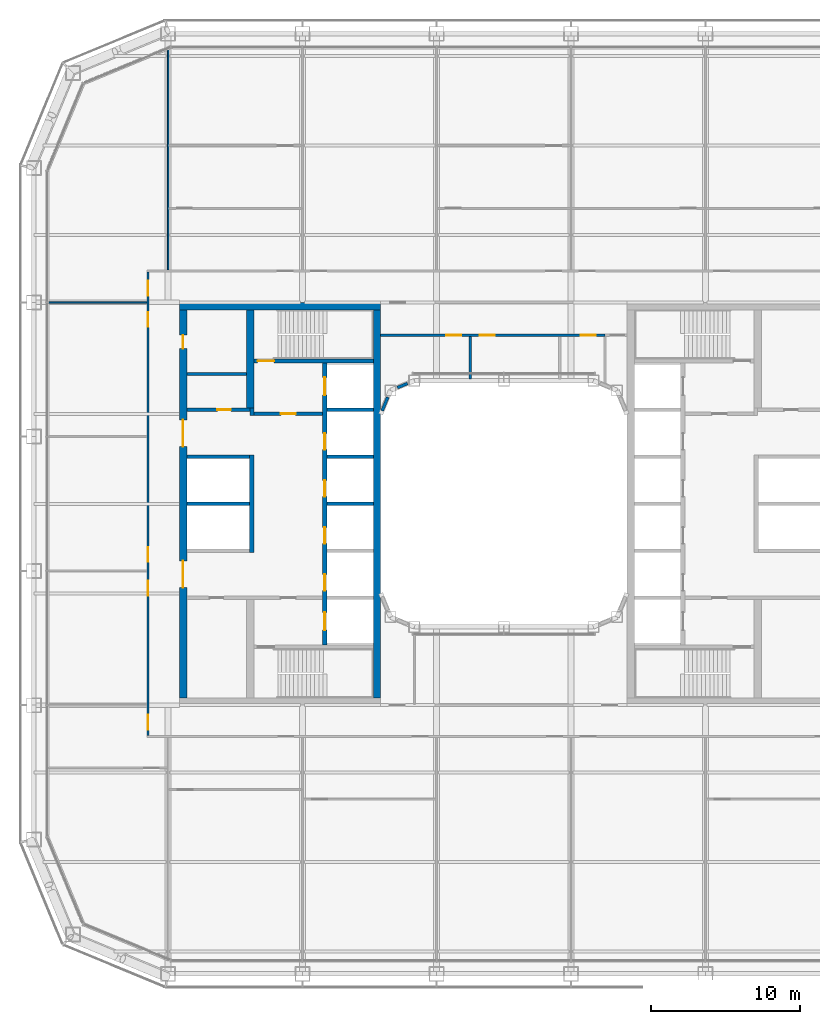
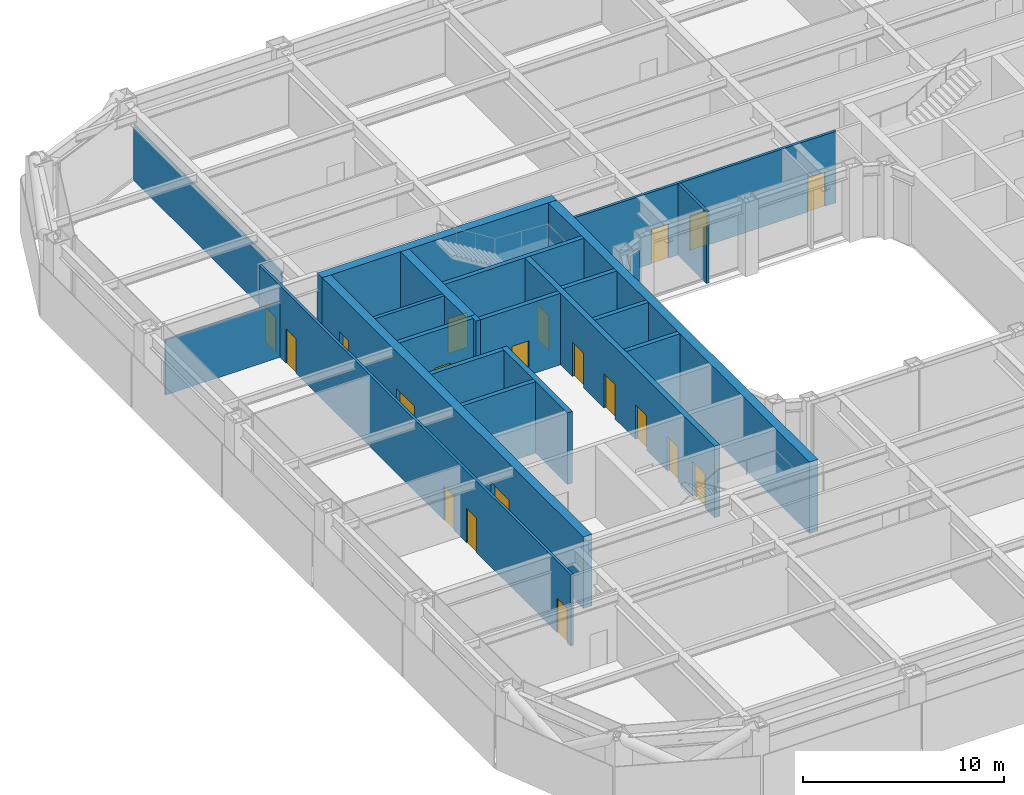
# One storey, part 13 of 25: 23 walls, 20 doors, 20 openings.
"""IFC4 building model written with IfcOpenShell, lengths in metres."""

from ifc_helpers import new_model, si_unit, direction, frame, frame_2d, origin, place, context, subcontext, project, spatial, rectangle, extrude, material, layer, layer_set, type_object, element, fill, save


model = new_model("IFC4")

# Units and contexts
model_context = context("Model", 3, precision=1e-05, world=origin(), true_north=direction((0.0, 1.0)))
body_context = subcontext(model_context, "Body", "Model", "MODEL_VIEW")
ifc_project = project(units=[si_unit("LENGTHUNIT", "METRE"), si_unit("AREAUNIT", "SQUARE_METRE"), si_unit("VOLUMEUNIT", "CUBIC_METRE"), si_unit("PLANEANGLEUNIT", "RADIAN"), si_unit("MASSUNIT", "GRAM", prefix="KILO")], contexts=[model_context])

# Site, building, storey
site_placement = place(None, origin())
site = spatial("IfcSite", under=ifc_project, at=site_placement, CompositionType="ELEMENT")
building_placement = place(site_placement, origin())
building = spatial("IfcBuilding", under=site, at=building_placement, Name="Siwar Civic Tower", CompositionType="ELEMENT")
storey_placement = place(building_placement, frame((0.0, 0.0, 58.199951171875)))
storey = spatial("IfcBuildingStorey", under=building, at=storey_placement, Name="L12", CompositionType="ELEMENT", Elevation=58.199951171875)

# Wall
ifc_material_1 = material(Name="Gypsum board on steel studs", Category="steel")
ifc_layer_1 = layer(ifc_material_1, 0.199951171875)
ifc_layer_set_1 = layer_set([ifc_layer_1], Name="Gypsum board on steel studs")
wall_type_1 = type_object("IfcWallType", Name="CORE-PARTITION-200", PredefinedType="PARTITIONING", material=ifc_layer_set_1)
wall_1_placement = place(storey_placement, frame((-17.25, 8.699951171875, 0.0), z_axis=(0.0, 0.0, 1.0), x_axis=(-1.0, 0.0, 0.0)))
element("IfcWall", 1, at=wall_1_placement, inside=storey, type_object=wall_type_1, Name="Core partition W", PredefinedType="PARTITIONING", context=body_context, shape_type="SweptSolid", body=[
    extrude(rectangle(XDim=4.0, YDim=0.199951171875, at=frame_2d((2.0, 0.0))), origin(), (0.0, 0.0, 1.0), 4.35009765625),
])

# Wall, opening, door
ifc_material_2 = material(Name="Concrete C60/75", Category="concrete")
ifc_layer_2 = layer(ifc_material_2, 0.25)
ifc_layer_set_2 = layer_set([ifc_layer_2], Name="Concrete C60/75")
wall_type_2 = type_object("IfcWallType", Name="CORE-WALL-RC250", PredefinedType="SHEAR", material=ifc_layer_set_2)
wall_2_placement = place(storey_placement, frame((-12.14990234375, 6.02490234375, 0.0), z_axis=(0.0, 0.0, 1.0), x_axis=(-1.0, 0.0, 0.0)))
wall_2 = element("IfcWall", 2, at=wall_2_placement, inside=storey, type_object=wall_type_2, Name="Core wall W", PredefinedType="SHEAR", context=body_context, shape_type="SweptSolid", body=[
    extrude(rectangle(XDim=4.60009765625, YDim=0.25, at=frame_2d((2.300048828125, 0.0))), origin(), (0.0, 0.0, 1.0), 4.35009765625),
])
opening_1_placement = place(wall_2_placement, frame((1.800048828125, 0.0, 0.0)))
opening_1 = element("IfcOpeningElement", 3, at=opening_1_placement, cuts=wall_2, Name="Opening L12-CW01", PredefinedType="OPENING", context=body_context, shape_type="SweptSolid", body=[
    extrude(rectangle(XDim=1.0, YDim=2.10009765625, at=frame_2d((0.5, 1.050048828125))), frame((0.0, 0.135009765625, 0.0), z_axis=(0.0, -1.0, 0.0), x_axis=(1.0, 0.0, 0.0)), (0.0, 0.0, 1.0), 0.27001953125),
])
ifc_material_3 = material(Name="Steel door leaf", Category="steel")
door_type_1 = type_object("IfcDoorType", Name="CORE-DOOR-FD30S", OperationType="SINGLE_SWING_LEFT", PredefinedType="DOOR", material=ifc_material_3)
door_1_placement = place(opening_1_placement, origin())
door_1 = element("IfcDoor", 4, at=door_1_placement, inside=storey, type_object=door_type_1, Name="Firefighting lobby door L12-CW01", OperationType="SINGLE_SWING_LEFT", OverallHeight=2.10009765625, OverallWidth=1.0, PredefinedType="DOOR", context=body_context, shape_type="SweptSolid", body=[
    extrude(rectangle(XDim=1.0, YDim=2.10009765625, at=frame_2d((0.5, 1.050048828125))), frame((0.0, 0.02490234375, 0.0), z_axis=(0.0, -1.0, 0.0), x_axis=(1.0, 0.0, 0.0)), (0.0, 0.0, 1.0), 0.050048828125),
])
fill(opening_1, door_1)

# Wall
wall_3_placement = place(storey_placement, frame((-16.875, 5.89990234375, 0.0), z_axis=(0.0, 0.0, 1.0), x_axis=(0.0, 1.0, 0.0)))
element("IfcWall", 5, at=wall_3_placement, inside=storey, type_object=wall_type_2, Name="Core wall W", PredefinedType="SHEAR", context=body_context, shape_type="SweptSolid", body=[
    extrude(rectangle(XDim=0.525146484375, YDim=0.25, at=frame_2d((0.2626953125, 0.0))), origin(), (0.0, 0.0, 1.0), 4.35009765625),
])

# Wall, opening, door
wall_4_placement = place(storey_placement, frame((-17.0, 6.300048828125, 0.0), z_axis=(0.0, 0.0, 1.0), x_axis=(-1.0, 0.0, 0.0)))
wall_4 = element("IfcWall", 6, at=wall_4_placement, inside=storey, type_object=wall_type_2, Name="Core wall W", PredefinedType="SHEAR", context=body_context, shape_type="SweptSolid", body=[
    extrude(rectangle(XDim=4.25, YDim=0.25, at=frame_2d((2.125, 0.0))), origin(), (0.0, 0.0, 1.0), 4.35009765625),
])
opening_2_placement = place(wall_4_placement, frame((1.300048828125, 0.0, 0.0)))
opening_2 = element("IfcOpeningElement", 7, at=opening_2_placement, cuts=wall_4, Name="Opening L12-CW13", PredefinedType="OPENING", context=body_context, shape_type="SweptSolid", body=[
    extrude(rectangle(XDim=0.89990234375, YDim=2.10009765625, at=frame_2d((0.449951171875, 1.050048828125))), frame((0.0, 0.135009765625, 0.0), z_axis=(0.0, -1.0, 0.0), x_axis=(1.0, 0.0, 0.0)), (0.0, 0.0, 1.0), 0.27001953125),
])
ifc_material_4 = material(Name="Steel door leaf", Category="steel")
door_type_2 = type_object("IfcDoorType", Name="CORE-DOOR-ROOM", OperationType="SINGLE_SWING_LEFT", PredefinedType="DOOR", material=ifc_material_4)
door_2_placement = place(opening_2_placement, origin())
door_2 = element("IfcDoor", 8, at=door_2_placement, inside=storey, type_object=door_type_2, Name="Core room door L12-CW13", OperationType="SINGLE_SWING_LEFT", OverallHeight=2.10009765625, OverallWidth=0.89990234375, PredefinedType="DOOR", context=body_context, shape_type="SweptSolid", body=[
    extrude(rectangle(XDim=0.89990234375, YDim=2.10009765625, at=frame_2d((0.449951171875, 1.050048828125))), frame((0.0, 0.02490234375, 0.0), z_axis=(0.0, -1.0, 0.0), x_axis=(1.0, 0.0, 0.0)), (0.0, 0.0, 1.0), 0.050048828125),
])
fill(opening_2, door_2)

# Walls
for number, where, z_axis, x_axis, name in (
    (9, (-17.050048828125, 0.0, 0.0), (0.0, 0.0, 1.0), (-1.0, 0.0, 0.0), "Core wall W"),
    (10, (-17.050048828125, 3.14990234375, 0.0), (0.0, 0.0, 1.0), (-1.0, 0.0, 0.0), "Core wall W"),
):
    element("IfcWall", number, at=place(storey_placement, frame(where, z_axis=z_axis, x_axis=x_axis)), inside=storey, type_object=wall_type_2, Name=name, PredefinedType="SHEAR", context=body_context, shape_type="SweptSolid", body=[
        extrude(rectangle(XDim=4.199951171875, YDim=0.25, at=frame_2d((2.10009765625, 0.0))), origin(), (0.0, 0.0, 1.0), 4.35009765625),
    ])
for number, where, z_axis, x_axis, name in (
    (11, (-8.75, 0.0, 0.0), (0.0, 0.0, 1.0), (-1.0, 0.0, 0.0), "Core wall W"),
    (12, (-8.75, 3.14990234375, 0.0), (0.0, 0.0, 1.0), (-1.0, 0.0, 0.0), "Core wall W"),
    (13, (-8.75, 6.300048828125, 0.0), (0.0, 0.0, 1.0), (-1.0, 0.0, 0.0), "Core wall W"),
):
    element("IfcWall", number, at=place(storey_placement, frame(where, z_axis=z_axis, x_axis=x_axis)), inside=storey, type_object=wall_type_2, Name=name, PredefinedType="SHEAR", context=body_context, shape_type="SweptSolid", body=[
        extrude(rectangle(XDim=3.10009765625, YDim=0.25, at=frame_2d((1.550048828125, 0.0))), origin(), (0.0, 0.0, 1.0), 4.35009765625),
    ])

# Wall, opening, door
wall_5_placement = place(storey_placement, frame((-8.75, 9.574951171875, 0.0), z_axis=(0.0, 0.0, 1.0), x_axis=(-1.0, 0.0, 0.0)))
wall_5 = element("IfcWall", 14, at=wall_5_placement, inside=storey, type_object=wall_type_2, Name="Core wall W", PredefinedType="SHEAR", context=body_context, shape_type="SweptSolid", body=[
    extrude(rectangle(XDim=8.0, YDim=0.25, at=frame_2d((4.0, 0.0))), origin(), (0.0, 0.0, 1.0), 4.35009765625),
])
opening_3_placement = place(wall_5_placement, frame((6.64990234375, 0.0, 0.0)))
opening_3 = element("IfcOpeningElement", 15, at=opening_3_placement, cuts=wall_5, Name="Opening L12-CW03", PredefinedType="OPENING", context=body_context, shape_type="SweptSolid", body=[
    extrude(rectangle(XDim=1.10009765625, YDim=2.10009765625, at=frame_2d((0.550048828125, 1.050048828125))), frame((0.0, 0.135009765625, 0.0), z_axis=(0.0, -1.0, 0.0), x_axis=(1.0, 0.0, 0.0)), (0.0, 0.0, 1.0), 0.27001953125),
])
ifc_material_5 = material(Name="Steel door leaf", Category="steel")
door_type_3 = type_object("IfcDoorType", Name="CORE-DOOR-FD60S", OperationType="SINGLE_SWING_LEFT", PredefinedType="DOOR", material=ifc_material_5)
door_3_placement = place(opening_3_placement, origin())
door_3 = element("IfcDoor", 16, at=door_3_placement, inside=storey, type_object=door_type_3, Name="Stair door L12-CW03", OperationType="SINGLE_SWING_RIGHT", OverallHeight=2.10009765625, OverallWidth=1.10009765625, PredefinedType="DOOR", context=body_context, shape_type="SweptSolid", body=[
    extrude(rectangle(XDim=1.10009765625, YDim=2.10009765625, at=frame_2d((0.550048828125, 1.050048828125))), frame((0.0, 0.02490234375, 0.0), z_axis=(0.0, -1.0, 0.0), x_axis=(1.0, 0.0, 0.0)), (0.0, 0.0, 1.0), 0.050048828125),
])
fill(opening_3, door_3)

# Wall, openings, doors
ifc_material_6 = material(Name="Concrete C60/75", Category="concrete")
ifc_layer_3 = layer(ifc_material_6, 0.300048828125)
ifc_layer_set_3 = layer_set([ifc_layer_3], Name="Concrete C60/75")
wall_type_3 = type_object("IfcWallType", Name="CORE-WALL-RC300", PredefinedType="SHEAR", material=ifc_layer_set_3)
wall_6_placement = place(storey_placement, frame((-12.0, -9.449951171875, 0.0), z_axis=(0.0, 0.0, 1.0), x_axis=(0.0, 1.0, 0.0)))
wall_6 = element("IfcWall", 17, at=wall_6_placement, inside=storey, type_object=wall_type_3, Name="Core wall W", PredefinedType="SHEAR", context=body_context, shape_type="SweptSolid", body=[
    extrude(rectangle(XDim=18.89990234375, YDim=0.300048828125, at=frame_2d((9.449951171875, 0.0))), origin(), (0.0, 0.0, 1.0), 4.35009765625),
])
opening_4_placement = place(wall_6_placement, frame((3.625, 0.0, 0.0)))
opening_4 = element("IfcOpeningElement", 18, at=opening_4_placement, cuts=wall_6, Name="Opening L12-CW07", PredefinedType="OPENING", context=body_context, shape_type="SweptSolid", body=[
    extrude(rectangle(XDim=1.10009765625, YDim=2.10009765625, at=frame_2d((0.550048828125, 1.050048828125))), frame((0.0, 0.16015625, 0.0), z_axis=(0.0, -1.0, 0.0), x_axis=(1.0, 0.0, 0.0)), (0.0, 0.0, 1.0), 0.320068359375),
])
opening_5_placement = place(wall_6_placement, frame((6.77490234375, 0.0, 0.0)))
opening_5 = element("IfcOpeningElement", 19, at=opening_5_placement, cuts=wall_6, Name="Opening L12-CW08", PredefinedType="OPENING", context=body_context, shape_type="SweptSolid", body=[
    extrude(rectangle(XDim=1.10009765625, YDim=2.10009765625, at=frame_2d((0.550048828125, 1.050048828125))), frame((0.0, 0.16015625, 0.0), z_axis=(0.0, -1.0, 0.0), x_axis=(1.0, 0.0, 0.0)), (0.0, 0.0, 1.0), 0.320068359375),
])
opening_6_placement = place(wall_6_placement, frame((9.925048828125, 0.0, 0.0)))
opening_6 = element("IfcOpeningElement", 20, at=opening_6_placement, cuts=wall_6, Name="Opening L12-CW09", PredefinedType="OPENING", context=body_context, shape_type="SweptSolid", body=[
    extrude(rectangle(XDim=1.10009765625, YDim=2.10009765625, at=frame_2d((0.550048828125, 1.050048828125))), frame((0.0, 0.16015625, 0.0), z_axis=(0.0, -1.0, 0.0), x_axis=(1.0, 0.0, 0.0)), (0.0, 0.0, 1.0), 0.320068359375),
])
opening_7_placement = place(wall_6_placement, frame((13.074951171875, 0.0, 0.0)))
opening_7 = element("IfcOpeningElement", 21, at=opening_7_placement, cuts=wall_6, Name="Opening L12-CW10", PredefinedType="OPENING", context=body_context, shape_type="SweptSolid", body=[
    extrude(rectangle(XDim=1.10009765625, YDim=2.10009765625, at=frame_2d((0.550048828125, 1.050048828125))), frame((0.0, 0.16015625, 0.0), z_axis=(0.0, -1.0, 0.0), x_axis=(1.0, 0.0, 0.0)), (0.0, 0.0, 1.0), 0.320068359375),
])
opening_8_placement = place(wall_6_placement, frame((16.72509765625, 0.0, 0.0)))
opening_8 = element("IfcOpeningElement", 22, at=opening_8_placement, cuts=wall_6, Name="Opening L12-CW11", PredefinedType="OPENING", context=body_context, shape_type="SweptSolid", body=[
    extrude(rectangle(XDim=1.199951171875, YDim=2.10009765625, at=frame_2d((0.60009765625, 1.050048828125))), frame((0.0, 0.16015625, 0.0), z_axis=(0.0, -1.0, 0.0), x_axis=(1.0, 0.0, 0.0)), (0.0, 0.0, 1.0), 0.320068359375),
])
opening_9_placement = place(wall_6_placement, frame((0.97509765625, 0.0, 0.0)))
opening_9 = element("IfcOpeningElement", 23, at=opening_9_placement, cuts=wall_6, Name="Opening L12-CW12", PredefinedType="OPENING", context=body_context, shape_type="SweptSolid", body=[
    extrude(rectangle(XDim=1.199951171875, YDim=2.10009765625, at=frame_2d((0.60009765625, 1.050048828125))), frame((0.0, 0.16015625, 0.0), z_axis=(0.0, -1.0, 0.0), x_axis=(1.0, 0.0, 0.0)), (0.0, 0.0, 1.0), 0.320068359375),
])
ifc_material_7 = material(Name="Steel door leaf", Category="steel")
door_type_4 = type_object("IfcDoorType", Name="CORE-DOOR-LD", OperationType="DOUBLE_DOOR_SLIDING", PredefinedType="DOOR", material=ifc_material_7)
door_4_placement = place(opening_4_placement, origin())
door_4 = element("IfcDoor", 24, at=door_4_placement, inside=storey, type_object=door_type_4, Name="Landing door LR1 L12-CW07", OperationType="DOUBLE_DOOR_SLIDING", OverallHeight=2.10009765625, OverallWidth=1.10009765625, PredefinedType="DOOR", context=body_context, shape_type="SweptSolid", body=[
    extrude(rectangle(XDim=1.10009765625, YDim=2.10009765625, at=frame_2d((0.550048828125, 1.050048828125))), frame((0.0, 0.02490234375, 0.0), z_axis=(0.0, -1.0, 0.0), x_axis=(1.0, 0.0, 0.0)), (0.0, 0.0, 1.0), 0.050048828125),
])
fill(opening_4, door_4)
door_5_placement = place(opening_5_placement, origin())
door_5 = element("IfcDoor", 25, at=door_5_placement, inside=storey, type_object=door_type_4, Name="Landing door LR2 L12-CW08", OperationType="DOUBLE_DOOR_SLIDING", OverallHeight=2.10009765625, OverallWidth=1.10009765625, PredefinedType="DOOR", context=body_context, shape_type="SweptSolid", body=[
    extrude(rectangle(XDim=1.10009765625, YDim=2.10009765625, at=frame_2d((0.550048828125, 1.050048828125))), frame((0.0, 0.02490234375, 0.0), z_axis=(0.0, -1.0, 0.0), x_axis=(1.0, 0.0, 0.0)), (0.0, 0.0, 1.0), 0.050048828125),
])
fill(opening_5, door_5)
door_6_placement = place(opening_6_placement, origin())
door_6 = element("IfcDoor", 26, at=door_6_placement, inside=storey, type_object=door_type_4, Name="Landing door LR3 L12-CW09", OperationType="DOUBLE_DOOR_SLIDING", OverallHeight=2.10009765625, OverallWidth=1.10009765625, PredefinedType="DOOR", context=body_context, shape_type="SweptSolid", body=[
    extrude(rectangle(XDim=1.10009765625, YDim=2.10009765625, at=frame_2d((0.550048828125, 1.050048828125))), frame((0.0, 0.02490234375, 0.0), z_axis=(0.0, -1.0, 0.0), x_axis=(1.0, 0.0, 0.0)), (0.0, 0.0, 1.0), 0.050048828125),
])
fill(opening_6, door_6)
door_7_placement = place(opening_7_placement, origin())
door_7 = element("IfcDoor", 27, at=door_7_placement, inside=storey, type_object=door_type_4, Name="Landing door LR4 L12-CW10", OperationType="DOUBLE_DOOR_SLIDING", OverallHeight=2.10009765625, OverallWidth=1.10009765625, PredefinedType="DOOR", context=body_context, shape_type="SweptSolid", body=[
    extrude(rectangle(XDim=1.10009765625, YDim=2.10009765625, at=frame_2d((0.550048828125, 1.050048828125))), frame((0.0, 0.02490234375, 0.0), z_axis=(0.0, -1.0, 0.0), x_axis=(1.0, 0.0, 0.0)), (0.0, 0.0, 1.0), 0.050048828125),
])
fill(opening_7, door_7)
ifc_material_8 = material(Name="Steel door leaf", Category="steel")
door_type_5 = type_object("IfcDoorType", Name="CORE-DOOR-LDW", OperationType="DOUBLE_DOOR_SLIDING", PredefinedType="DOOR", material=ifc_material_8)
door_8_placement = place(opening_8_placement, origin())
door_8 = element("IfcDoor", 28, at=door_8_placement, inside=storey, type_object=door_type_5, Name="Landing door FF1 L12-CW11", OperationType="DOUBLE_DOOR_SLIDING", OverallHeight=2.10009765625, OverallWidth=1.199951171875, PredefinedType="DOOR", context=body_context, shape_type="SweptSolid", body=[
    extrude(rectangle(XDim=1.199951171875, YDim=2.10009765625, at=frame_2d((0.60009765625, 1.050048828125))), frame((0.0, 0.02490234375, 0.0), z_axis=(0.0, -1.0, 0.0), x_axis=(1.0, 0.0, 0.0)), (0.0, 0.0, 1.0), 0.050048828125),
])
fill(opening_8, door_8)
door_9_placement = place(opening_9_placement, origin())
door_9 = element("IfcDoor", 29, at=door_9_placement, inside=storey, type_object=door_type_5, Name="Landing door SV1 L12-CW12", OperationType="DOUBLE_DOOR_SLIDING", OverallHeight=2.10009765625, OverallWidth=1.199951171875, PredefinedType="DOOR", context=body_context, shape_type="SweptSolid", body=[
    extrude(rectangle(XDim=1.199951171875, YDim=2.10009765625, at=frame_2d((0.60009765625, 1.050048828125))), frame((0.0, 0.02490234375, 0.0), z_axis=(0.0, -1.0, 0.0), x_axis=(1.0, 0.0, 0.0)), (0.0, 0.0, 1.0), 0.050048828125),
])
fill(opening_9, door_9)

# Wall
wall_7_placement = place(storey_placement, frame((-16.89990234375, -3.27490234375, 0.0), z_axis=(0.0, 0.0, 1.0), x_axis=(0.0, 1.0, 0.0)))
element("IfcWall", 30, at=wall_7_placement, inside=storey, type_object=wall_type_3, Name="Core wall W", PredefinedType="SHEAR", context=body_context, shape_type="SweptSolid", body=[
    extrude(rectangle(XDim=6.5498046875, YDim=0.300048828125, at=frame_2d((3.27490234375, 0.0))), origin(), (0.0, 0.0, 1.0), 4.35009765625),
])

# Wall, openings, doors
ifc_material_9 = material(Name="Concrete C60/75", Category="concrete")
ifc_layer_4 = layer(ifc_material_9, 0.5)
ifc_layer_set_4 = layer_set([ifc_layer_4], Name="Concrete C60/75")
wall_type_4 = type_object("IfcWallType", Name="CORE-WALL-RC500", PredefinedType="SHEAR", material=ifc_layer_set_4)
wall_8_placement = place(storey_placement, frame((-21.5, -13.0, 0.0), z_axis=(0.0, 0.0, 1.0), x_axis=(0.0, 1.0, 0.0)))
wall_8 = element("IfcWall", 31, at=wall_8_placement, inside=storey, type_object=wall_type_4, Name="Core wall W", PredefinedType="SHEAR", context=body_context, shape_type="SweptSolid", body=[
    extrude(rectangle(XDim=26.0, YDim=0.5, at=frame_2d((13.0, 0.0))), origin(), (0.0, 0.0, 1.0), 4.35009765625),
])
opening_10_placement = place(wall_8_placement, frame((16.824951171875, 0.0, 0.0)))
opening_10 = element("IfcOpeningElement", 32, at=opening_10_placement, cuts=wall_8, Name="Opening L12-CW05", PredefinedType="OPENING", context=body_context, shape_type="SweptSolid", body=[
    extrude(rectangle(XDim=1.800048828125, YDim=2.10009765625, at=frame_2d((0.89990234375, 1.050048828125))), frame((0.0, 0.260009765625, 0.0), z_axis=(0.0, -1.0, 0.0), x_axis=(1.0, 0.0, 0.0)), (0.0, 0.0, 1.0), 0.52001953125),
])
opening_11_placement = place(wall_8_placement, frame((7.375, 0.0, 0.0)))
opening_11 = element("IfcOpeningElement", 33, at=opening_11_placement, cuts=wall_8, Name="Opening L12-CW06", PredefinedType="OPENING", context=body_context, shape_type="SweptSolid", body=[
    extrude(rectangle(XDim=1.800048828125, YDim=2.10009765625, at=frame_2d((0.89990234375, 1.050048828125))), frame((0.0, 0.260009765625, 0.0), z_axis=(0.0, -1.0, 0.0), x_axis=(1.0, 0.0, 0.0)), (0.0, 0.0, 1.0), 0.52001953125),
])
opening_12_placement = place(wall_8_placement, frame((23.39990234375, 0.0, 0.0)))
opening_12 = element("IfcOpeningElement", 34, at=opening_12_placement, cuts=wall_8, Name="Opening L12-CW14", PredefinedType="OPENING", context=body_context, shape_type="SweptSolid", body=[
    extrude(rectangle(XDim=0.89990234375, YDim=2.10009765625, at=frame_2d((0.449951171875, 1.050048828125))), frame((0.0, 0.260009765625, 0.0), z_axis=(0.0, -1.0, 0.0), x_axis=(1.0, 0.0, 0.0)), (0.0, 0.0, 1.0), 0.52001953125),
])
ifc_material_10 = material(Name="Steel door leaf", Category="steel")
door_type_6 = type_object("IfcDoorType", Name="CORE-DOOR-PORT", OperationType="DOUBLE_DOOR_DOUBLE_SWING", PredefinedType="DOOR", material=ifc_material_10)
door_10_placement = place(opening_10_placement, origin())
door_10 = element("IfcDoor", 35, at=door_10_placement, inside=storey, type_object=door_type_6, Name="Core entrance door L12-CW05", OperationType="DOUBLE_DOOR_DOUBLE_SWING", OverallHeight=2.10009765625, OverallWidth=1.800048828125, PredefinedType="DOOR", context=body_context, shape_type="SweptSolid", body=[
    extrude(rectangle(XDim=1.800048828125, YDim=2.10009765625, at=frame_2d((0.89990234375, 1.050048828125))), frame((0.0, 0.02490234375, 0.0), z_axis=(0.0, -1.0, 0.0), x_axis=(1.0, 0.0, 0.0)), (0.0, 0.0, 1.0), 0.050048828125),
])
fill(opening_10, door_10)
door_11_placement = place(opening_11_placement, origin())
door_11 = element("IfcDoor", 36, at=door_11_placement, inside=storey, type_object=door_type_6, Name="Core entrance door L12-CW06", OperationType="DOUBLE_DOOR_DOUBLE_SWING", OverallHeight=2.10009765625, OverallWidth=1.800048828125, PredefinedType="DOOR", context=body_context, shape_type="SweptSolid", body=[
    extrude(rectangle(XDim=1.800048828125, YDim=2.10009765625, at=frame_2d((0.89990234375, 1.050048828125))), frame((0.0, 0.02490234375, 0.0), z_axis=(0.0, -1.0, 0.0), x_axis=(1.0, 0.0, 0.0)), (0.0, 0.0, 1.0), 0.050048828125),
])
fill(opening_11, door_11)
door_12_placement = place(opening_12_placement, origin())
door_12 = element("IfcDoor", 37, at=door_12_placement, inside=storey, type_object=door_type_2, Name="Core room door L12-CW14", OperationType="SINGLE_SWING_LEFT", OverallHeight=2.10009765625, OverallWidth=0.89990234375, PredefinedType="DOOR", context=body_context, shape_type="SweptSolid", body=[
    extrude(rectangle(XDim=0.89990234375, YDim=2.10009765625, at=frame_2d((0.449951171875, 1.050048828125))), frame((0.0, 0.02490234375, 0.0), z_axis=(0.0, -1.0, 0.0), x_axis=(1.0, 0.0, 0.0)), (0.0, 0.0, 1.0), 0.050048828125),
])
fill(opening_12, door_12)

# Walls
wall_9_placement = place(storey_placement, frame((-17.0, 6.425048828125, 0.0), z_axis=(0.0, 0.0, 1.0), x_axis=(0.0, 1.0, 0.0)))
element("IfcWall", 38, at=wall_9_placement, inside=storey, type_object=wall_type_4, Name="Core wall W", PredefinedType="SHEAR", context=body_context, shape_type="SweptSolid", body=[
    extrude(rectangle(XDim=6.574951171875, YDim=0.5, at=frame_2d((3.28759765625, 0.0))), origin(), (0.0, 0.0, 1.0), 4.35009765625),
])
wall_10_placement = place(storey_placement, frame((-8.25, 13.25, 0.0), z_axis=(0.0, 0.0, 1.0), x_axis=(-1.0, 0.0, 0.0)))
element("IfcWall", 39, at=wall_10_placement, inside=storey, type_object=wall_type_4, Name="Core wall W", PredefinedType="SHEAR", context=body_context, shape_type="SweptSolid", body=[
    extrude(rectangle(XDim=13.5, YDim=0.5, at=frame_2d((6.75, 0.0))), origin(), (0.0, 0.0, 1.0), 4.35009765625),
])
ifc_material_11 = material(Name="Concrete C60/75", Category="concrete")
ifc_layer_5 = layer(ifc_material_11, 0.5)
ifc_layer_set_5 = layer_set([ifc_layer_5], Name="Concrete C60/75")
wall_type_5 = type_object("IfcWallType", Name="CORE-WALL-RC500-EXT", PredefinedType="SHEAR", material=ifc_layer_set_5)
wall_11_placement = place(storey_placement, frame((-8.5, -13.0, 0.0), z_axis=(0.0, 0.0, 1.0), x_axis=(0.0, 1.0, 0.0)))
element("IfcWall", 40, at=wall_11_placement, inside=storey, type_object=wall_type_5, Name="Core wall W", PredefinedType="SHEAR", context=body_context, shape_type="SweptSolid", body=[
    extrude(rectangle(XDim=26.0, YDim=0.5, at=frame_2d((13.0, 0.0))), origin(), (0.0, 0.0, 1.0), 4.35009765625),
])

# Wall, openings, doors
ifc_material_12 = material(Name="Gypsum board on steel studs", Category="steel")
ifc_layer_6 = layer(ifc_material_12, 0.14990234375)
ifc_layer_set_6 = layer_set([ifc_layer_6], Name="Gypsum board on steel studs")
wall_type_6 = type_object("IfcWallType", Name="CORRIDOR PARTITION 150 EI 30", PredefinedType="PARTITIONING", material=ifc_layer_set_6)
wall_12_placement = place(storey_placement, frame((-8.25, 11.300048828125, 0.0), z_axis=(0.0, 0.0, 1.0), x_axis=(1.0, 0.0, 0.0)))
wall_12 = element("IfcWall", 41, at=wall_12_placement, inside=storey, type_object=wall_type_6, Name="L12/wall/P14", PredefinedType="PARTITIONING", context=body_context, shape_type="SweptSolid", body=[
    extrude(rectangle(XDim=15.030029296875, YDim=0.14990234375, at=frame_2d((7.51513671875, 0.0))), origin(), (0.0, 0.0, 1.0), 4.35009765625),
])
opening_13_placement = place(wall_12_placement, frame((4.39990234375, 0.0, 0.0)))
opening_13 = element("IfcOpeningElement", 42, at=opening_13_placement, cuts=wall_12, Name="Opening D3", PredefinedType="OPENING", context=body_context, shape_type="SweptSolid", body=[
    extrude(rectangle(XDim=1.0, YDim=2.10009765625, at=frame_2d((0.5, 1.050048828125))), frame((0.0, 0.0849609375, 0.0), z_axis=(0.0, -1.0, 0.0), x_axis=(1.0, 0.0, 0.0)), (0.0, 0.0, 1.0), 0.169921875),
])
opening_14_placement = place(wall_12_placement, frame((6.64990234375, 0.0, 0.0)))
opening_14 = element("IfcOpeningElement", 43, at=opening_14_placement, cuts=wall_12, Name="Opening D3", PredefinedType="OPENING", context=body_context, shape_type="SweptSolid", body=[
    extrude(rectangle(XDim=1.0, YDim=2.10009765625, at=frame_2d((0.5, 1.050048828125))), frame((0.0, 0.0849609375, 0.0), z_axis=(0.0, -1.0, 0.0), x_axis=(1.0, 0.0, 0.0)), (0.0, 0.0, 1.0), 0.169921875),
])
opening_15_placement = place(wall_12_placement, frame((13.39990234375, 0.0, 0.0)))
opening_15 = element("IfcOpeningElement", 44, at=opening_15_placement, cuts=wall_12, Name="Opening D3", PredefinedType="OPENING", context=body_context, shape_type="SweptSolid", body=[
    extrude(rectangle(XDim=1.0, YDim=2.10009765625, at=frame_2d((0.5, 1.050048828125))), frame((0.0, 0.0849609375, 0.0), z_axis=(0.0, -1.0, 0.0), x_axis=(1.0, 0.0, 0.0)), (0.0, 0.0, 1.0), 0.169921875),
])
ifc_material_13 = material(Name="Timber, painted", Category="wood")
door_type_7 = type_object("IfcDoorType", Name="DOOR 1000 X 2100 WC", OperationType="SINGLE_SWING_LEFT", PredefinedType="DOOR", material=ifc_material_13)
door_13_placement = place(opening_13_placement, origin())
door_13 = element("IfcDoor", 45, at=door_13_placement, inside=storey, type_object=door_type_7, Name="L12-D34", OperationType="SINGLE_SWING_RIGHT", OverallHeight=2.10009765625, OverallWidth=1.0, PredefinedType="DOOR", context=body_context, shape_type="SweptSolid", body=[
    extrude(rectangle(XDim=1.0, YDim=2.10009765625, at=frame_2d((0.5, 1.050048828125))), frame((0.0, 0.02490234375, 0.0), z_axis=(0.0, -1.0, 0.0), x_axis=(1.0, 0.0, 0.0)), (0.0, 0.0, 1.0), 0.050048828125),
])
fill(opening_13, door_13)
door_14_placement = place(opening_14_placement, origin())
door_14 = element("IfcDoor", 46, at=door_14_placement, inside=storey, type_object=door_type_7, Name="L12-D35", OperationType="SINGLE_SWING_LEFT", OverallHeight=2.10009765625, OverallWidth=1.0, PredefinedType="DOOR", context=body_context, shape_type="SweptSolid", body=[
    extrude(rectangle(XDim=1.0, YDim=2.10009765625, at=frame_2d((0.5, 1.050048828125))), frame((0.0, 0.02490234375, 0.0), z_axis=(0.0, -1.0, 0.0), x_axis=(1.0, 0.0, 0.0)), (0.0, 0.0, 1.0), 0.050048828125),
])
fill(opening_14, door_14)
door_15_placement = place(opening_15_placement, origin())
door_15 = element("IfcDoor", 47, at=door_15_placement, inside=storey, type_object=door_type_7, Name="L12-D36", OperationType="SINGLE_SWING_RIGHT", OverallHeight=2.10009765625, OverallWidth=1.0, PredefinedType="DOOR", context=body_context, shape_type="SweptSolid", body=[
    extrude(rectangle(XDim=1.0, YDim=2.10009765625, at=frame_2d((0.5, 1.050048828125))), frame((0.0, 0.02490234375, 0.0), z_axis=(0.0, -1.0, 0.0), x_axis=(1.0, 0.0, 0.0)), (0.0, 0.0, 1.0), 0.050048828125),
])
fill(opening_15, door_15)

wall_13_placement = place(storey_placement, frame((-23.85009765625, -15.52490234375, 0.0), z_axis=(0.0, 0.0, 1.0), x_axis=(0.0, 1.0, 0.0)))
wall_13 = element("IfcWall", 48, at=wall_13_placement, inside=storey, type_object=wall_type_6, Name="L12/wall/P25", PredefinedType="PARTITIONING", context=body_context, shape_type="SweptSolid", body=[
    extrude(rectangle(XDim=31.0498046875, YDim=0.14990234375, at=frame_2d((15.52490234375, 0.0))), origin(), (0.0, 0.0, 1.0), 4.35009765625),
])
opening_16_placement = place(wall_13_placement, frame((29.47509765625, 0.0, 0.0)))
opening_16 = element("IfcOpeningElement", 49, at=opening_16_placement, cuts=wall_13, Name="Opening D1", PredefinedType="OPENING", context=body_context, shape_type="SweptSolid", body=[
    extrude(rectangle(XDim=1.0, YDim=2.10009765625, at=frame_2d((0.5, 1.050048828125))), frame((0.0, 0.0849609375, 0.0), z_axis=(0.0, -1.0, 0.0), x_axis=(1.0, 0.0, 0.0)), (0.0, 0.0, 1.0), 0.169921875),
])
opening_17_placement = place(wall_13_placement, frame((0.375, 0.0, 0.0)))
opening_17 = element("IfcOpeningElement", 50, at=opening_17_placement, cuts=wall_13, Name="Opening D1", PredefinedType="OPENING", context=body_context, shape_type="SweptSolid", body=[
    extrude(rectangle(XDim=1.0, YDim=2.10009765625, at=frame_2d((0.5, 1.050048828125))), frame((0.0, 0.0849609375, 0.0), z_axis=(0.0, -1.0, 0.0), x_axis=(1.0, 0.0, 0.0)), (0.0, 0.0, 1.0), 0.169921875),
])
opening_18_placement = place(wall_13_placement, frame((9.375, 0.0, 0.0)))
opening_18 = element("IfcOpeningElement", 51, at=opening_18_placement, cuts=wall_13, Name="Opening D1", PredefinedType="OPENING", context=body_context, shape_type="SweptSolid", body=[
    extrude(rectangle(XDim=1.0, YDim=2.10009765625, at=frame_2d((0.5, 1.050048828125))), frame((0.0, 0.0849609375, 0.0), z_axis=(0.0, -1.0, 0.0), x_axis=(1.0, 0.0, 0.0)), (0.0, 0.0, 1.0), 0.169921875),
])
opening_19_placement = place(wall_13_placement, frame((11.625, 0.0, 0.0)))
opening_19 = element("IfcOpeningElement", 52, at=opening_19_placement, cuts=wall_13, Name="Opening D1", PredefinedType="OPENING", context=body_context, shape_type="SweptSolid", body=[
    extrude(rectangle(XDim=1.0, YDim=2.10009765625, at=frame_2d((0.5, 1.050048828125))), frame((0.0, 0.0849609375, 0.0), z_axis=(0.0, -1.0, 0.0), x_axis=(1.0, 0.0, 0.0)), (0.0, 0.0, 1.0), 0.169921875),
])
opening_20_placement = place(wall_13_placement, frame((27.375, 0.0, 0.0)))
opening_20 = element("IfcOpeningElement", 53, at=opening_20_placement, cuts=wall_13, Name="Opening D1", PredefinedType="OPENING", context=body_context, shape_type="SweptSolid", body=[
    extrude(rectangle(XDim=1.0, YDim=2.10009765625, at=frame_2d((0.5, 1.050048828125))), frame((0.0, 0.0849609375, 0.0), z_axis=(0.0, -1.0, 0.0), x_axis=(1.0, 0.0, 0.0)), (0.0, 0.0, 1.0), 0.169921875),
])
ifc_material_14 = material(Name="Timber, painted", Category="wood")
door_type_8 = type_object("IfcDoorType", Name="DOOR 1000 X 2100 FD30", OperationType="SINGLE_SWING_LEFT", PredefinedType="DOOR", material=ifc_material_14)
door_16_placement = place(opening_16_placement, origin())
door_16 = element("IfcDoor", 54, at=door_16_placement, inside=storey, type_object=door_type_8, Name="L12-D20", OperationType="SINGLE_SWING_RIGHT", OverallHeight=2.10009765625, OverallWidth=1.0, PredefinedType="DOOR", context=body_context, shape_type="SweptSolid", body=[
    extrude(rectangle(XDim=1.0, YDim=2.10009765625, at=frame_2d((0.5, 1.050048828125))), frame((0.0, 0.02490234375, 0.0), z_axis=(0.0, -1.0, 0.0), x_axis=(1.0, 0.0, 0.0)), (0.0, 0.0, 1.0), 0.050048828125),
])
fill(opening_16, door_16)
door_17_placement = place(opening_17_placement, origin())
door_17 = element("IfcDoor", 55, at=door_17_placement, inside=storey, type_object=door_type_8, Name="L12-D23", OperationType="SINGLE_SWING_LEFT", OverallHeight=2.10009765625, OverallWidth=1.0, PredefinedType="DOOR", context=body_context, shape_type="SweptSolid", body=[
    extrude(rectangle(XDim=1.0, YDim=2.10009765625, at=frame_2d((0.5, 1.050048828125))), frame((0.0, 0.02490234375, 0.0), z_axis=(0.0, -1.0, 0.0), x_axis=(1.0, 0.0, 0.0)), (0.0, 0.0, 1.0), 0.050048828125),
])
fill(opening_17, door_17)
door_18_placement = place(opening_18_placement, origin())
door_18 = element("IfcDoor", 56, at=door_18_placement, inside=storey, type_object=door_type_8, Name="L12-D27", OperationType="SINGLE_SWING_LEFT", OverallHeight=2.10009765625, OverallWidth=1.0, PredefinedType="DOOR", context=body_context, shape_type="SweptSolid", body=[
    extrude(rectangle(XDim=1.0, YDim=2.10009765625, at=frame_2d((0.5, 1.050048828125))), frame((0.0, 0.02490234375, 0.0), z_axis=(0.0, -1.0, 0.0), x_axis=(1.0, 0.0, 0.0)), (0.0, 0.0, 1.0), 0.050048828125),
])
fill(opening_18, door_18)
door_19_placement = place(opening_19_placement, origin())
door_19 = element("IfcDoor", 57, at=door_19_placement, inside=storey, type_object=door_type_8, Name="L12-D28", OperationType="SINGLE_SWING_RIGHT", OverallHeight=2.10009765625, OverallWidth=1.0, PredefinedType="DOOR", context=body_context, shape_type="SweptSolid", body=[
    extrude(rectangle(XDim=1.0, YDim=2.10009765625, at=frame_2d((0.5, 1.050048828125))), frame((0.0, 0.02490234375, 0.0), z_axis=(0.0, -1.0, 0.0), x_axis=(1.0, 0.0, 0.0)), (0.0, 0.0, 1.0), 0.050048828125),
])
fill(opening_19, door_19)
door_20_placement = place(opening_20_placement, origin())
door_20 = element("IfcDoor", 58, at=door_20_placement, inside=storey, type_object=door_type_8, Name="L12-D29", OperationType="SINGLE_SWING_LEFT", OverallHeight=2.10009765625, OverallWidth=1.0, PredefinedType="DOOR", context=body_context, shape_type="SweptSolid", body=[
    extrude(rectangle(XDim=1.0, YDim=2.10009765625, at=frame_2d((0.5, 1.050048828125))), frame((0.0, 0.02490234375, 0.0), z_axis=(0.0, -1.0, 0.0), x_axis=(1.0, 0.0, 0.0)), (0.0, 0.0, 1.0), 0.050048828125),
])
fill(opening_20, door_20)

# Walls
wall_14_placement = place(storey_placement, frame((-2.25, 8.3701171875, 0.0), z_axis=(0.0, 0.0, 1.0), x_axis=(0.0, 1.0, 0.0)))
element("IfcWall", 59, at=wall_14_placement, inside=storey, type_object=wall_type_6, Name="L12/wall/P33", PredefinedType="PARTITIONING", context=body_context, shape_type="SweptSolid", body=[
    extrude(rectangle(XDim=2.85498046875, YDim=0.14990234375, at=frame_2d((1.427490234375, 0.0))), origin(), (0.0, 0.0, 1.0), 4.35009765625),
])
ifc_material_15 = material(Name="Aluminium clad insulated panel", Category="aluminium")
ifc_layer_7 = layer(ifc_material_15, 0.199951171875)
ifc_layer_set_7 = layer_set([ifc_layer_7], Name="Aluminium clad insulated panel")
wall_type_7 = type_object("IfcWallType", Name="ENV-WALL-WELL", PredefinedType="STANDARD", material=ifc_layer_set_7)
wall_15_placement = place(storey_placement, frame((-6.45263671875, 8.0625, 0.0), z_axis=(0.0, 0.0, 1.0), x_axis=(-0.923940677943, -0.382535780864, 0.0)))
element("IfcWall", 60, at=wall_15_placement, inside=storey, type_object=wall_type_7, Name="Light well corner wall NW1", PredefinedType="STANDARD", context=body_context, shape_type="SweptSolid", body=[
    extrude(rectangle(XDim=0.7421875, YDim=0.199951171875, at=frame_2d((0.37109375, 0.0))), origin(), (0.0, 0.0, 1.0), 3.72998046875),
])
wall_16_placement = place(storey_placement, frame((-7.778564453125, 7.138427734375, 0.0), z_axis=(0.0, 0.0, 1.0), x_axis=(-0.382549378284, -0.923935048136, 0.0)))
element("IfcWall", 61, at=wall_16_placement, inside=storey, type_object=wall_type_7, Name="Light well corner wall NW2", PredefinedType="STANDARD", context=body_context, shape_type="SweptSolid", body=[
    extrude(rectangle(XDim=0.982177734375, YDim=0.199951171875, at=frame_2d((0.4912109375, 0.0))), origin(), (0.0, 0.0, 1.0), 3.72998046875),
])
ifc_material_16 = material(Name="Gypsum board on steel studs", Category="steel")
ifc_layer_8 = layer(ifc_material_16, 0.10009765625)
ifc_layer_set_8 = layer_set([ifc_layer_8], Name="Gypsum board on steel studs")
wall_type_8 = type_object("IfcWallType", Name="PARTITION 100 GYPSUM", PredefinedType="PARTITIONING", material=ifc_layer_set_8)
wall_17_placement = place(storey_placement, frame((-30.510009765625, 13.5, 0.0), z_axis=(0.0, 0.0, 1.0), x_axis=(1.0, 0.0, 0.0)))
element("IfcWall", 62, at=wall_17_placement, inside=storey, type_object=wall_type_8, Name="L12/wall/P16", PredefinedType="PARTITIONING", context=body_context, shape_type="SweptSolid", body=[
    extrude(rectangle(XDim=6.5849609375, YDim=0.10009765625, at=frame_2d((3.29248046875, 0.0))), origin(), (0.0, 0.0, 1.0), 3.35009765625),
])
wall_18_placement = place(storey_placement, frame((-22.5, 15.675048828125, 0.0), z_axis=(0.0, 0.0, 1.0), x_axis=(0.0, 1.0, 0.0)))
element("IfcWall", 63, at=wall_18_placement, inside=storey, type_object=wall_type_8, Name="L12/wall/P27", PredefinedType="PARTITIONING", context=body_context, shape_type="SweptSolid", body=[
    extrude(rectangle(XDim=14.7529296875, YDim=0.10009765625, at=frame_2d((7.37646484375, 0.0))), origin(), (0.0, 0.0, 1.0), 3.35009765625),
])

save(model, "model.ifc")
